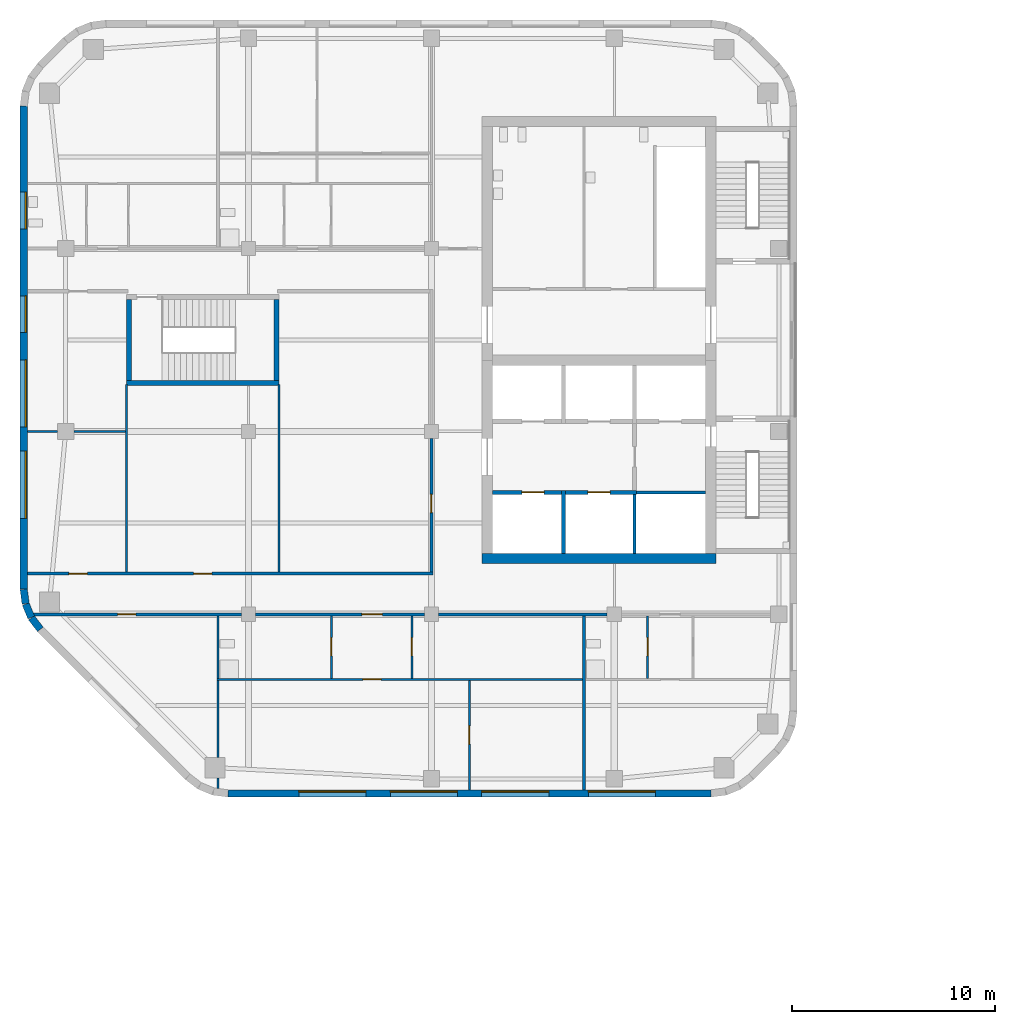
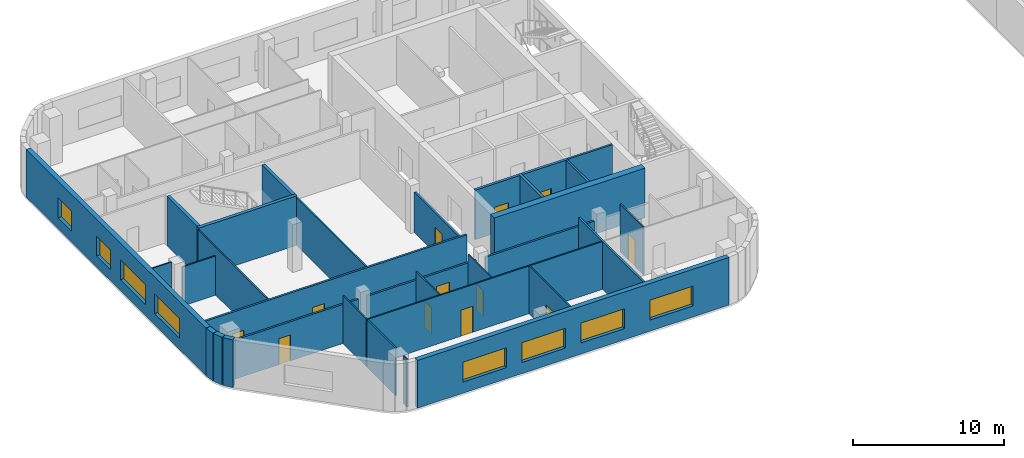
# One storey, part 5 of 16: 32 walls, 12 doors, 8 windows, 20 openings.
"""IFC4 building model written with IfcOpenShell, lengths in metres."""

import ifcopenshell
import ifcopenshell.guid

model = None  # the IFC model being written
_history = None  # IfcOwnerHistory: only IFC2X3 demands one
_inside = {}  # id of a spatial element -> (the spatial element, [elements in it])
_under = {}  # id of a project, library or spatial element -> (it, [spatial elements below it])
_declared = {}  # id of a project -> (the project, [libraries it declares])
_typed = {}  # id of a type object -> (the type object, [elements of that type])
_made_of = {}  # id of a material, layer set ... -> (it, [elements and type objects made of it])


def new_model(schema):
    """Start an empty IFC model of exactly this schema.

    Asked for "IFC4X3", IfcOpenShell would pick the latest addendum, in which some entities
    have other attributes; the version numbers below select the first issue.
    IFC2X3 requires an IfcOwnerHistory on every rooted entity: one is made here for all.
    """
    global model, _history
    if schema == "IFC4X3":
        model = ifcopenshell.file(schema_version=(4, 3, 0, 0))
    else:
        model = ifcopenshell.file(schema=schema)
    _inside.clear()
    _under.clear()
    _declared.clear()
    _typed.clear()
    _made_of.clear()
    _history = None
    if model.schema == "IFC2X3":
        org = make("IfcOrganization", Name="unknown")
        user = make(
            "IfcPersonAndOrganization",
            ThePerson=make("IfcPerson", FamilyName="unknown"),
            TheOrganization=org,
        )
        app = make(
            "IfcApplication",
            ApplicationDeveloper=org,
            Version="unknown",
            ApplicationFullName="unknown",
            ApplicationIdentifier="unknown",
        )
        _history = make(
            "IfcOwnerHistory",
            OwningUser=user,
            OwningApplication=app,
            ChangeAction="ADDED",
            CreationDate=0,
        )
    return model


def make(cls, **values):
    """One entity of the class cls with the attributes given. An attribute that is None is left unset."""
    return model.create_entity(
        cls, **{name: value for name, value in values.items() if value is not None}
    )


def rooted(cls, **values):
    """An entity with a GlobalId (a new one), such as an element, a storey or a relation."""
    return make(cls, GlobalId=ifcopenshell.guid.new(), OwnerHistory=_history, **values)


def si_unit(unit_type, name, prefix=None):
    """IfcSIUnit, for example si_unit("LENGTHUNIT", "METRE", prefix="MILLI")."""
    return make("IfcSIUnit", UnitType=unit_type, Prefix=prefix, Name=name)


def assignment(units):
    """IfcUnitAssignment: the units of a project."""
    return None if units is None else make("IfcUnitAssignment", Units=units)


def point(xyz):
    """IfcCartesianPoint."""
    return None if xyz is None else make("IfcCartesianPoint", Coordinates=xyz)


def direction(xyz):
    """IfcDirection."""
    return None if xyz is None else make("IfcDirection", DirectionRatios=xyz)


def frame(location, z_axis=None, x_axis=None):
    """IfcAxis2Placement3D, a coordinate frame: its origin and axes. An axis left out is left unset."""
    return make(
        "IfcAxis2Placement3D",
        Location=point(location),
        Axis=direction(z_axis),
        RefDirection=direction(x_axis),
    )


def frame_2d(location, x_axis=None):
    """IfcAxis2Placement2D, a coordinate frame in the plane: its origin and x axis."""
    return make(
        "IfcAxis2Placement2D", Location=point(location), RefDirection=direction(x_axis)
    )


def origin():
    """The frame at (0, 0, 0) with its axes left unset."""
    return frame((0.0, 0.0, 0.0))


def place(relative_to, where):
    """IfcLocalPlacement: puts the frame where relative to a parent placement (None: the world)."""
    return make(
        "IfcLocalPlacement", PlacementRelTo=relative_to, RelativePlacement=where
    )


def context(
    kind, dimensions, precision=None, world=None, true_north=None, identifier=None
):
    """IfcGeometricRepresentationContext, for example the 3D "Model" context."""
    return make(
        "IfcGeometricRepresentationContext",
        ContextIdentifier=identifier,
        ContextType=kind,
        CoordinateSpaceDimension=dimensions,
        Precision=precision,
        WorldCoordinateSystem=world,
        TrueNorth=true_north,
    )


def subcontext(parent, identifier, kind, view, scale=None):
    """IfcGeometricRepresentationSubContext, for example "Body" below "Model"."""
    return make(
        "IfcGeometricRepresentationSubContext",
        ContextIdentifier=identifier,
        ContextType=kind,
        ParentContext=parent,
        TargetScale=scale,
        TargetView=view,
    )


def project(units=None, contexts=None):
    """IfcProject with its units and contexts."""
    return rooted(
        "IfcProject",
        Name="project",
        RepresentationContexts=contexts,
        UnitsInContext=assignment(units),
    )


def spatial(cls, under=None, at=None, **own):
    """A site, building, storey or space (cls), placed at a placement, below another one or the project."""
    s = rooted(cls, ObjectPlacement=at, **own)
    if under is not None:
        _under.setdefault(under.id(), (under, []))[1].append(s)
    return s


def profile(cls, at=None, kind="AREA", **sizes):
    """A parametric profile (cls). Its sizes go by their IFC names, for example OverallWidth=200.0."""
    return make(cls, ProfileType=kind, Position=at, **sizes)


def rectangle(**sizes):
    """IfcRectangleProfileDef."""
    return profile("IfcRectangleProfileDef", **sizes)


def extrude(swept, where, along, depth):
    """IfcExtrudedAreaSolid: the profile swept, set in the frame where, extruded along a direction by depth."""
    return make(
        "IfcExtrudedAreaSolid",
        SweptArea=swept,
        Position=where,
        ExtrudedDirection=direction(along),
        Depth=depth,
    )


def shape(context_of_items, identifier, shape_type, items):
    """IfcShapeRepresentation: the items that make up one representation, for example the "Body"."""
    return make(
        "IfcShapeRepresentation",
        ContextOfItems=context_of_items,
        RepresentationIdentifier=identifier,
        RepresentationType=shape_type,
        Items=items,
    )


def material(Name=None, Category=None):
    """IfcMaterial."""
    return make("IfcMaterial", Name=Name, Category=Category)


def layer(
    of_material, thickness, ventilated=None, Name=None, Category=None, Priority=None
):
    """IfcMaterialLayer: one layer of a wall or slab, of a material (None: an air gap)."""
    return make(
        "IfcMaterialLayer",
        Material=of_material,
        LayerThickness=thickness,
        IsVentilated=ventilated,
        Name=Name,
        Category=Category,
        Priority=Priority,
    )


def layer_set(layers, Name=None):
    """IfcMaterialLayerSet."""
    return make("IfcMaterialLayerSet", MaterialLayers=layers, LayerSetName=Name)


def made_of(thing, what):
    """Note that an element or type object is made of a material, layer set ...; save() writes the relation."""
    if what is not None:
        _made_of.setdefault(what.id(), (what, []))[1].append(thing)
    return thing


def type_object(cls, material=None, **own):
    """A type object (cls), such as IfcWallType, which elements share."""
    return made_of(rooted(cls, **own), material)


def element(
    cls,
    number,
    at=None,
    inside=None,
    cuts=None,
    type_object=None,
    material=None,
    context=None,
    identifier="Body",
    shape_type=None,
    held_by="IfcProductDefinitionShape",
    body=None,
    shapes=None,
    **own,
):
    """One element of the class cls, such as IfcWall. Its Tag is "e" and its number.

    at: its placement. inside: the storey or other place that contains it. cuts: it is an
    opening in that element (IfcRelVoidsElement). A single representation is given by context,
    identifier, shape_type and body (its items); several are given by shapes. held_by: the class
    of the entity that holds the representations. save() writes the other relations.
    """
    e = rooted(cls, Tag="e%d" % number, ObjectPlacement=at, **own)
    if body is not None:
        shapes = [shape(context, identifier, shape_type, body)]
    if shapes is not None:
        e.Representation = make(held_by, Representations=shapes)
    if inside is not None:
        _inside.setdefault(inside.id(), (inside, []))[1].append(e)
    if cuts is not None:
        rooted(
            "IfcRelVoidsElement", RelatingBuildingElement=cuts, RelatedOpeningElement=e
        )
    if type_object is not None:
        _typed.setdefault(type_object.id(), (type_object, []))[1].append(e)
    return made_of(e, material)


def fill(opening, filler):
    """IfcRelFillsElement: the door or window that sits in an opening."""
    return rooted(
        "IfcRelFillsElement",
        RelatingOpeningElement=opening,
        RelatedBuildingElement=filler,
    )


def aggregate(whole, parts):
    """IfcRelAggregates: a whole, such as a stair, and the parts it consists of."""
    return rooted("IfcRelAggregates", RelatingObject=whole, RelatedObjects=parts)


def save(model, path):
    """Write the relations noted so far, then the file.

    IfcRelAggregates (storeys below a building ...), IfcRelContainedInSpatialStructure (elements
    in a storey), IfcRelDefinesByType, IfcRelAssociatesMaterial and IfcRelDeclares: one each for
    every whole, place, type object, material and project.
    """
    for whole, parts in _under.values():
        aggregate(whole, parts)
    for where, things in _inside.values():
        rooted(
            "IfcRelContainedInSpatialStructure",
            RelatedElements=things,
            RelatingStructure=where,
        )
    for kind, things in _typed.values():
        rooted("IfcRelDefinesByType", RelatedObjects=things, RelatingType=kind)
    for what, things in _made_of.values():
        rooted("IfcRelAssociatesMaterial", RelatedObjects=things, RelatingMaterial=what)
    for by, libraries in _declared.values():
        rooted("IfcRelDeclares", RelatingContext=by, RelatedDefinitions=libraries)
    model.write(path)


model = new_model("IFC4")

# Units and contexts
model_context = context("Model", 3, precision=1e-05, world=origin(), true_north=direction((0.0, 1.0)))
body_context = subcontext(model_context, "Body", "Model", "MODEL_VIEW")
ifc_project = project(units=[si_unit("LENGTHUNIT", "METRE"), si_unit("AREAUNIT", "SQUARE_METRE"), si_unit("VOLUMEUNIT", "CUBIC_METRE"), si_unit("PLANEANGLEUNIT", "RADIAN"), si_unit("MASSUNIT", "GRAM", prefix="KILO")], contexts=[model_context])

# Site, building, storey
site_placement = place(None, origin())
site = spatial("IfcSite", under=ifc_project, at=site_placement, CompositionType="ELEMENT")
building_placement = place(site_placement, origin())
building = spatial("IfcBuilding", under=site, at=building_placement, Name="Cinnabar Reach Civic Tower", CompositionType="ELEMENT")
storey_placement = place(building_placement, frame((0.0, 0.0, 83.0)))
storey = spatial("IfcBuildingStorey", under=building, at=storey_placement, Name="L19", CompositionType="ELEMENT", Elevation=83.0)

# Walls
ifc_material_1 = material(Name="Facing brick with insulated backing", Category="masonry")
ifc_layer_1 = layer(ifc_material_1, 0.36)
ifc_layer_set_1 = layer_set([ifc_layer_1], Name="Brick corner wall")
wall_type_1 = type_object("IfcWallType", Name="Brick corner wall", PredefinedType="STANDARD", material=ifc_layer_set_1)
for number, where, z_axis, x_axis, name in (
    (1, (-65.067, 19.2314, 0.0), (0.0, 0.0, 1.0), (0.13055608231, -0.99144092581, 0.0), "Brick corner wall"),
    (2, (-64.9681, 18.5027, 0.0), (0.0, 0.0, 1.0), (0.382702709855, -0.923871547278, 0.0), "Brick corner wall"),
):
    element("IfcWall", number, at=place(storey_placement, frame(where, z_axis=z_axis, x_axis=x_axis)), inside=storey, type_object=wall_type_1, Name=name, PredefinedType="STANDARD", context=body_context, shape_type="SweptSolid", body=[
        extrude(rectangle(XDim=0.7131, YDim=0.36, at=frame_2d((0.3565, 0.0))), origin(), (0.0, 0.0, 1.0), 3.85),
    ])
wall_1_placement = place(storey_placement, frame((-64.684, 17.8245, 0.0), z_axis=(0.0, 0.0, 1.0), x_axis=(0.608802368033, -0.793321924995, 0.0)))
element("IfcWall", 3, at=wall_1_placement, inside=storey, type_object=wall_type_1, Name="Brick corner wall", PredefinedType="STANDARD", context=body_context, shape_type="SweptSolid", body=[
    extrude(rectangle(XDim=0.7132, YDim=0.36, at=frame_2d((0.3566, 0.0))), origin(), (0.0, 0.0, 1.0), 3.85),
])

# Wall, openings, windows
ifc_layer_2 = layer(ifc_material_1, 0.36)
ifc_layer_set_2 = layer_set([ifc_layer_2], Name="Brick pier and spandrel wall")
wall_type_2 = type_object("IfcWallType", Name="Brick pier and spandrel wall", PredefinedType="STANDARD", material=ifc_layer_set_2)
wall_2_placement = place(storey_placement, frame((-55.0074, 9.18, 0.0), z_axis=(0.0, 0.0, 1.0), x_axis=(1.0, 0.0, 0.0)))
wall_2 = element("IfcWall", 4, at=wall_2_placement, inside=storey, type_object=wall_type_2, Name="Brick facade wall", PredefinedType="STANDARD", context=body_context, shape_type="SweptSolid", body=[
    extrude(rectangle(XDim=23.7648, YDim=0.36, at=frame_2d((11.8824, 0.0))), origin(), (0.0, 0.0, 1.0), 3.85),
])
opening_1_placement = place(wall_2_placement, frame((3.4824, 0.0, 0.9)))
opening_1 = element("IfcOpeningElement", 5, at=opening_1_placement, cuts=wall_2, Name="Opening W2603", PredefinedType="OPENING", context=body_context, shape_type="SweptSolid", body=[
    extrude(rectangle(XDim=3.3, YDim=1.6, at=frame_2d((1.65, 0.8))), frame((0.0, 0.19, 0.0), z_axis=(0.0, -1.0, 0.0), x_axis=(1.0, 0.0, 0.0)), (0.0, 0.0, 1.0), 0.38),
])
opening_2_placement = place(wall_2_placement, frame((7.9824, 0.0, 0.9)))
opening_2 = element("IfcOpeningElement", 6, at=opening_2_placement, cuts=wall_2, Name="Opening W2604", PredefinedType="OPENING", context=body_context, shape_type="SweptSolid", body=[
    extrude(rectangle(XDim=3.3, YDim=1.6, at=frame_2d((1.65, 0.8))), frame((0.0, 0.19, 0.0), z_axis=(0.0, -1.0, 0.0), x_axis=(1.0, 0.0, 0.0)), (0.0, 0.0, 1.0), 0.38),
])
opening_3_placement = place(wall_2_placement, frame((12.4824, 0.0, 0.9)))
opening_3 = element("IfcOpeningElement", 7, at=opening_3_placement, cuts=wall_2, Name="Opening W2605", PredefinedType="OPENING", context=body_context, shape_type="SweptSolid", body=[
    extrude(rectangle(XDim=3.3, YDim=1.6, at=frame_2d((1.65, 0.8))), frame((0.0, 0.19, 0.0), z_axis=(0.0, -1.0, 0.0), x_axis=(1.0, 0.0, 0.0)), (0.0, 0.0, 1.0), 0.38),
])
opening_4_placement = place(wall_2_placement, frame((17.7324, 0.0, 0.9)))
opening_4 = element("IfcOpeningElement", 8, at=opening_4_placement, cuts=wall_2, Name="Opening W2606", PredefinedType="OPENING", context=body_context, shape_type="SweptSolid", body=[
    extrude(rectangle(XDim=3.3, YDim=1.6, at=frame_2d((1.65, 0.8))), frame((0.0, 0.19, 0.0), z_axis=(0.0, -1.0, 0.0), x_axis=(1.0, 0.0, 0.0)), (0.0, 0.0, 1.0), 0.38),
])
ifc_material_2 = material(Name="Clear double glazing in aluminium frame", Category="aluminium")
window_type_1 = type_object("IfcWindowType", Name="Deep-set window A", PartitioningType="SINGLE_PANEL", PredefinedType="WINDOW", material=ifc_material_2)
window_1_placement = place(opening_1_placement, origin())
window_1 = element("IfcWindow", 9, at=window_1_placement, inside=storey, type_object=window_type_1, Name="Window south face", OverallHeight=1.6, OverallWidth=3.3, PartitioningType="SINGLE_PANEL", PredefinedType="WINDOW", context=body_context, shape_type="SweptSolid", body=[
    extrude(rectangle(XDim=3.3, YDim=1.6, at=frame_2d((1.65, 0.8))), frame((0.0, 0.13, 0.0), z_axis=(0.0, -1.0, 0.0), x_axis=(1.0, 0.0, 0.0)), (0.0, 0.0, 1.0), 0.06),
])
fill(opening_1, window_1)
window_2_placement = place(opening_2_placement, origin())
window_2 = element("IfcWindow", 10, at=window_2_placement, inside=storey, type_object=window_type_1, Name="Window south face", OverallHeight=1.6, OverallWidth=3.3, PartitioningType="SINGLE_PANEL", PredefinedType="WINDOW", context=body_context, shape_type="SweptSolid", body=[
    extrude(rectangle(XDim=3.3, YDim=1.6, at=frame_2d((1.65, 0.8))), frame((0.0, 0.13, 0.0), z_axis=(0.0, -1.0, 0.0), x_axis=(1.0, 0.0, 0.0)), (0.0, 0.0, 1.0), 0.06),
])
fill(opening_2, window_2)
window_3_placement = place(opening_3_placement, origin())
window_3 = element("IfcWindow", 11, at=window_3_placement, inside=storey, type_object=window_type_1, Name="Window south face", OverallHeight=1.6, OverallWidth=3.3, PartitioningType="SINGLE_PANEL", PredefinedType="WINDOW", context=body_context, shape_type="SweptSolid", body=[
    extrude(rectangle(XDim=3.3, YDim=1.6, at=frame_2d((1.65, 0.8))), frame((0.0, 0.13, 0.0), z_axis=(0.0, -1.0, 0.0), x_axis=(1.0, 0.0, 0.0)), (0.0, 0.0, 1.0), 0.06),
])
fill(opening_3, window_3)
window_4_placement = place(opening_4_placement, origin())
window_4 = element("IfcWindow", 12, at=window_4_placement, inside=storey, type_object=window_type_1, Name="Window south face", OverallHeight=1.6, OverallWidth=3.3, PartitioningType="SINGLE_PANEL", PredefinedType="WINDOW", context=body_context, shape_type="SweptSolid", body=[
    extrude(rectangle(XDim=3.3, YDim=1.6, at=frame_2d((1.65, 0.8))), frame((0.0, 0.13, 0.0), z_axis=(0.0, -1.0, 0.0), x_axis=(1.0, 0.0, 0.0)), (0.0, 0.0, 1.0), 0.06),
])
fill(opening_4, window_4)

wall_3_placement = place(storey_placement, frame((-65.07, 43.0074, 0.0), z_axis=(0.0, 0.0, 1.0), x_axis=(0.0, -1.0, 0.0)))
wall_3 = element("IfcWall", 13, at=wall_3_placement, inside=storey, type_object=wall_type_2, Name="Brick facade wall", PredefinedType="STANDARD", context=body_context, shape_type="SweptSolid", body=[
    extrude(rectangle(XDim=23.7648, YDim=0.36, at=frame_2d((11.8824, 0.0))), origin(), (0.0, 0.0, 1.0), 3.85),
])
opening_5_placement = place(wall_3_placement, frame((4.2324, 0.0, 0.9)))
opening_5 = element("IfcOpeningElement", 14, at=opening_5_placement, cuts=wall_3, Name="Opening W2615", PredefinedType="OPENING", context=body_context, shape_type="SweptSolid", body=[
    extrude(rectangle(XDim=1.8, YDim=1.6, at=frame_2d((0.9, 0.8))), frame((0.0, 0.19, 0.0), z_axis=(0.0, -1.0, 0.0), x_axis=(1.0, 0.0, 0.0)), (0.0, 0.0, 1.0), 0.38),
])
opening_6_placement = place(wall_3_placement, frame((9.3324, 0.0, 0.9)))
opening_6 = element("IfcOpeningElement", 15, at=opening_6_placement, cuts=wall_3, Name="Opening W2616", PredefinedType="OPENING", context=body_context, shape_type="SweptSolid", body=[
    extrude(rectangle(XDim=1.8, YDim=1.6, at=frame_2d((0.9, 0.8))), frame((0.0, 0.19, 0.0), z_axis=(0.0, -1.0, 0.0), x_axis=(1.0, 0.0, 0.0)), (0.0, 0.0, 1.0), 0.38),
])
opening_7_placement = place(wall_3_placement, frame((12.4824, 0.0, 0.9)))
opening_7 = element("IfcOpeningElement", 16, at=opening_7_placement, cuts=wall_3, Name="Opening W2617", PredefinedType="OPENING", context=body_context, shape_type="SweptSolid", body=[
    extrude(rectangle(XDim=3.3, YDim=1.6, at=frame_2d((1.65, 0.8))), frame((0.0, 0.19, 0.0), z_axis=(0.0, -1.0, 0.0), x_axis=(1.0, 0.0, 0.0)), (0.0, 0.0, 1.0), 0.38),
])
opening_8_placement = place(wall_3_placement, frame((16.9824, 0.0, 0.9)))
opening_8 = element("IfcOpeningElement", 17, at=opening_8_placement, cuts=wall_3, Name="Opening W2618", PredefinedType="OPENING", context=body_context, shape_type="SweptSolid", body=[
    extrude(rectangle(XDim=3.3, YDim=1.6, at=frame_2d((1.65, 0.8))), frame((0.0, 0.19, 0.0), z_axis=(0.0, -1.0, 0.0), x_axis=(1.0, 0.0, 0.0)), (0.0, 0.0, 1.0), 0.38),
])
window_5_placement = place(opening_7_placement, origin())
window_5 = element("IfcWindow", 18, at=window_5_placement, inside=storey, type_object=window_type_1, Name="Window west face", OverallHeight=1.6, OverallWidth=3.3, PartitioningType="SINGLE_PANEL", PredefinedType="WINDOW", context=body_context, shape_type="SweptSolid", body=[
    extrude(rectangle(XDim=3.3, YDim=1.6, at=frame_2d((1.65, 0.8))), frame((0.0, 0.13, 0.0), z_axis=(0.0, -1.0, 0.0), x_axis=(1.0, 0.0, 0.0)), (0.0, 0.0, 1.0), 0.06),
])
fill(opening_7, window_5)
window_6_placement = place(opening_8_placement, origin())
window_6 = element("IfcWindow", 19, at=window_6_placement, inside=storey, type_object=window_type_1, Name="Window west face", OverallHeight=1.6, OverallWidth=3.3, PartitioningType="SINGLE_PANEL", PredefinedType="WINDOW", context=body_context, shape_type="SweptSolid", body=[
    extrude(rectangle(XDim=3.3, YDim=1.6, at=frame_2d((1.65, 0.8))), frame((0.0, 0.13, 0.0), z_axis=(0.0, -1.0, 0.0), x_axis=(1.0, 0.0, 0.0)), (0.0, 0.0, 1.0), 0.06),
])
fill(opening_8, window_6)
window_type_2 = type_object("IfcWindowType", Name="Deep-set window D", PartitioningType="SINGLE_PANEL", PredefinedType="WINDOW", material=ifc_material_2)
window_7_placement = place(opening_5_placement, origin())
window_7 = element("IfcWindow", 20, at=window_7_placement, inside=storey, type_object=window_type_2, Name="Window west face", OverallHeight=1.6, OverallWidth=1.8, PartitioningType="SINGLE_PANEL", PredefinedType="WINDOW", context=body_context, shape_type="SweptSolid", body=[
    extrude(rectangle(XDim=1.8, YDim=1.6, at=frame_2d((0.9, 0.8))), frame((0.0, 0.13, 0.0), z_axis=(0.0, -1.0, 0.0), x_axis=(1.0, 0.0, 0.0)), (0.0, 0.0, 1.0), 0.06),
])
fill(opening_5, window_7)
window_8_placement = place(opening_6_placement, origin())
window_8 = element("IfcWindow", 21, at=window_8_placement, inside=storey, type_object=window_type_2, Name="Window west face", OverallHeight=1.6, OverallWidth=1.8, PartitioningType="SINGLE_PANEL", PredefinedType="WINDOW", context=body_context, shape_type="SweptSolid", body=[
    extrude(rectangle(XDim=1.8, YDim=1.6, at=frame_2d((0.9, 0.8))), frame((0.0, 0.13, 0.0), z_axis=(0.0, -1.0, 0.0), x_axis=(1.0, 0.0, 0.0)), (0.0, 0.0, 1.0), 0.06),
])
fill(opening_6, window_8)

# Walls
ifc_material_3 = material(Name="Concrete C60", Category="concrete")
ifc_layer_3 = layer(ifc_material_3, 0.5)
ifc_layer_set_3 = layer_set([ifc_layer_3], Name="Core wall 500 EI 180")
wall_type_3 = type_object("IfcWallType", Name="Core wall 500 EI 180", PredefinedType="SOLIDWALL", material=ifc_layer_set_3)
wall_4_placement = place(storey_placement, frame((-42.5, 20.75, 0.0), z_axis=(0.0, 0.0, 1.0), x_axis=(1.0, 0.0, 0.0)))
element("IfcWall", 22, at=wall_4_placement, inside=storey, type_object=wall_type_3, Name="Core wall T2 L19 S", PredefinedType="SOLIDWALL", context=body_context, shape_type="SweptSolid", body=[
    extrude(rectangle(XDim=11.5, YDim=0.5, at=frame_2d((5.75, 0.0))), origin(), (0.0, 0.0, 1.0), 4.0),
])
ifc_material_4 = material(Name="Gypsum board on steel studs, double layer", Category="steel")
ifc_layer_4 = layer(ifc_material_4, 0.15)
ifc_layer_set_4 = layer_set([ifc_layer_4], Name="Corridor wall 150 T2")
wall_type_4 = type_object("IfcWallType", Name="Corridor wall 150 T2", PredefinedType="PARTITIONING", material=ifc_layer_set_4)
wall_5_placement = place(storey_placement, frame((-44.65, 18.0, 0.0), z_axis=(0.0, 0.0, 1.0), x_axis=(1.0, 0.0, 0.0)))
element("IfcWall", 23, at=wall_5_placement, inside=storey, type_object=wall_type_4, Name="Corridor wall 2", PredefinedType="PARTITIONING", context=body_context, shape_type="SweptSolid", body=[
    extrude(rectangle(XDim=8.3, YDim=0.15, at=frame_2d((4.15, 0.0))), origin(), (0.0, 0.0, 1.0), 3.158),
])

# Wall, opening, door
wall_6_placement = place(storey_placement, frame((-53.65, 18.0, 0.0), z_axis=(0.0, 0.0, 1.0), x_axis=(1.0, 0.0, 0.0)))
wall_6 = element("IfcWall", 24, at=wall_6_placement, inside=storey, type_object=wall_type_4, Name="Corridor wall 3", PredefinedType="PARTITIONING", context=body_context, shape_type="SweptSolid", body=[
    extrude(rectangle(XDim=8.3, YDim=0.15, at=frame_2d((4.15, 0.0))), origin(), (0.0, 0.0, 1.0), 3.158),
])
opening_9_placement = place(wall_6_placement, frame((5.23, 0.0, 0.0)))
opening_9 = element("IfcOpeningElement", 25, at=opening_9_placement, cuts=wall_6, Name="Opening D6727", PredefinedType="OPENING", context=body_context, shape_type="SweptSolid", body=[
    extrude(rectangle(XDim=1.0, YDim=2.1, at=frame_2d((0.5, 1.05))), frame((0.0, 0.085, 0.0), z_axis=(0.0, -1.0, 0.0), x_axis=(1.0, 0.0, 0.0)), (0.0, 0.0, 1.0), 0.17),
])
ifc_material_5 = material(Name="Timber door leaf in steel frame", Category="steel")
door_type_1 = type_object("IfcDoorType", Name="Tenancy entrance door 1000 x 2100 T2", OperationType="SINGLE_SWING_LEFT", PredefinedType="DOOR", material=ifc_material_5)
door_1_placement = place(opening_9_placement, frame((1.0, 0.0, 0.0), z_axis=(0.0, 0.0, 1.0), x_axis=(-1.0, 0.0, 0.0)))
door_1 = element("IfcDoor", 26, at=door_1_placement, inside=storey, type_object=door_type_1, Name="Door D6727", OperationType="SINGLE_SWING_LEFT", OverallHeight=2.1, OverallWidth=1.0, PredefinedType="DOOR", context=body_context, shape_type="SweptSolid", body=[
    extrude(rectangle(XDim=1.0, YDim=2.1, at=frame_2d((0.5, 1.05))), frame((0.0, 0.025, 0.0), z_axis=(0.0, -1.0, 0.0), x_axis=(1.0, 0.0, 0.0)), (0.0, 0.0, 1.0), 0.05),
])
fill(opening_9, door_1)

wall_7_placement = place(storey_placement, frame((-64.5961, 18.0, 0.0), z_axis=(0.0, 0.0, 1.0), x_axis=(1.0, 0.0, 0.0)))
wall_7 = element("IfcWall", 27, at=wall_7_placement, inside=storey, type_object=wall_type_4, Name="Corridor wall 4", PredefinedType="PARTITIONING", context=body_context, shape_type="SweptSolid", body=[
    extrude(rectangle(XDim=10.2461, YDim=0.15, at=frame_2d((5.1231, 0.0))), origin(), (0.0, 0.0, 1.0), 3.158),
])
opening_10_placement = place(wall_7_placement, frame((4.15, 0.0, 0.0)))
opening_10 = element("IfcOpeningElement", 28, at=opening_10_placement, cuts=wall_7, Name="Opening D6722", PredefinedType="OPENING", context=body_context, shape_type="SweptSolid", body=[
    extrude(rectangle(XDim=0.9, YDim=2.1, at=frame_2d((0.45, 1.05))), frame((0.0, 0.085, 0.0), z_axis=(0.0, -1.0, 0.0), x_axis=(1.0, 0.0, 0.0)), (0.0, 0.0, 1.0), 0.17),
])
door_type_2 = type_object("IfcDoorType", Name="Single swing door 900 x 2100 T2", OperationType="SINGLE_SWING_LEFT", PredefinedType="DOOR", material=ifc_material_5)
door_2_placement = place(opening_10_placement, frame((0.9, 0.0, 0.0), z_axis=(0.0, 0.0, 1.0), x_axis=(-1.0, 0.0, 0.0)))
door_2 = element("IfcDoor", 29, at=door_2_placement, inside=storey, type_object=door_type_2, Name="Door D6722", OperationType="SINGLE_SWING_RIGHT", OverallHeight=2.1, OverallWidth=0.9, PredefinedType="DOOR", context=body_context, shape_type="SweptSolid", body=[
    extrude(rectangle(XDim=0.9, YDim=2.1, at=frame_2d((0.45, 1.05))), frame((0.0, 0.025, 0.0), z_axis=(0.0, -1.0, 0.0), x_axis=(1.0, 0.0, 0.0)), (0.0, 0.0, 1.0), 0.05),
])
fill(opening_10, door_2)

# Wall, openings, doors
wall_8_placement = place(storey_placement, frame((-64.89, 20.0, 0.0), z_axis=(0.0, 0.0, 1.0), x_axis=(1.0, 0.0, 0.0)))
wall_8 = element("IfcWall", 30, at=wall_8_placement, inside=storey, type_object=wall_type_4, Name="Corridor wall 9", PredefinedType="PARTITIONING", context=body_context, shape_type="SweptSolid", body=[
    extrude(rectangle(XDim=19.965, YDim=0.15, at=frame_2d((9.9825, 0.0))), origin(), (0.0, 0.0, 1.0), 3.85),
])
opening_11_placement = place(wall_8_placement, frame((2.05, 0.0, 0.0)))
opening_11 = element("IfcOpeningElement", 31, at=opening_11_placement, cuts=wall_8, Name="Opening D6743", PredefinedType="OPENING", context=body_context, shape_type="SweptSolid", body=[
    extrude(rectangle(XDim=0.9, YDim=2.1, at=frame_2d((0.45, 1.05))), frame((0.0, 0.085, 0.0), z_axis=(0.0, -1.0, 0.0), x_axis=(1.0, 0.0, 0.0)), (0.0, 0.0, 1.0), 0.17),
])
opening_12_placement = place(wall_8_placement, frame((8.19, 0.0, 0.0)))
opening_12 = element("IfcOpeningElement", 32, at=opening_12_placement, cuts=wall_8, Name="Opening D6745", PredefinedType="OPENING", context=body_context, shape_type="SweptSolid", body=[
    extrude(rectangle(XDim=0.9, YDim=2.1, at=frame_2d((0.45, 1.05))), frame((0.0, 0.085, 0.0), z_axis=(0.0, -1.0, 0.0), x_axis=(1.0, 0.0, 0.0)), (0.0, 0.0, 1.0), 0.17),
])
door_3_placement = place(opening_11_placement, origin())
door_3 = element("IfcDoor", 33, at=door_3_placement, inside=storey, type_object=door_type_2, Name="Door D6743", OperationType="SINGLE_SWING_LEFT", OverallHeight=2.1, OverallWidth=0.9, PredefinedType="DOOR", context=body_context, shape_type="SweptSolid", body=[
    extrude(rectangle(XDim=0.9, YDim=2.1, at=frame_2d((0.45, 1.05))), frame((0.0, 0.025, 0.0), z_axis=(0.0, -1.0, 0.0), x_axis=(1.0, 0.0, 0.0)), (0.0, 0.0, 1.0), 0.05),
])
fill(opening_11, door_3)
door_4_placement = place(opening_12_placement, origin())
door_4 = element("IfcDoor", 34, at=door_4_placement, inside=storey, type_object=door_type_2, Name="Door D6745", OperationType="SINGLE_SWING_RIGHT", OverallHeight=2.1, OverallWidth=0.9, PredefinedType="DOOR", context=body_context, shape_type="SweptSolid", body=[
    extrude(rectangle(XDim=0.9, YDim=2.1, at=frame_2d((0.45, 1.05))), frame((0.0, 0.025, 0.0), z_axis=(0.0, -1.0, 0.0), x_axis=(1.0, 0.0, 0.0)), (0.0, 0.0, 1.0), 0.05),
])
fill(opening_12, door_4)

# Wall, opening, door
wall_9_placement = place(storey_placement, frame((-45.0, 20.075, 0.0), z_axis=(0.0, 0.0, 1.0), x_axis=(0.0, 1.0, 0.0)))
wall_9 = element("IfcWall", 35, at=wall_9_placement, inside=storey, type_object=wall_type_4, Name="Corridor wall 10", PredefinedType="PARTITIONING", context=body_context, shape_type="SweptSolid", body=[
    extrude(rectangle(XDim=6.575, YDim=0.15, at=frame_2d((3.2875, 0.0))), origin(), (0.0, 0.0, 1.0), 3.256),
])
opening_13_placement = place(wall_9_placement, frame((2.925, 0.0, 0.0)))
opening_13 = element("IfcOpeningElement", 36, at=opening_13_placement, cuts=wall_9, Name="Opening D6746", PredefinedType="OPENING", context=body_context, shape_type="SweptSolid", body=[
    extrude(rectangle(XDim=0.9, YDim=2.1, at=frame_2d((0.45, 1.05))), frame((0.0, 0.085, 0.0), z_axis=(0.0, -1.0, 0.0), x_axis=(1.0, 0.0, 0.0)), (0.0, 0.0, 1.0), 0.17),
])
door_5_placement = place(opening_13_placement, origin())
door_5 = element("IfcDoor", 37, at=door_5_placement, inside=storey, type_object=door_type_2, Name="Door D6746", OperationType="SINGLE_SWING_LEFT", OverallHeight=2.1, OverallWidth=0.9, PredefinedType="DOOR", context=body_context, shape_type="SweptSolid", body=[
    extrude(rectangle(XDim=0.9, YDim=2.1, at=frame_2d((0.45, 1.05))), frame((0.0, 0.025, 0.0), z_axis=(0.0, -1.0, 0.0), x_axis=(1.0, 0.0, 0.0)), (0.0, 0.0, 1.0), 0.05),
])
fill(opening_13, door_5)

ifc_material_6 = material(Name="Gypsum board on steel studs", Category="steel")
ifc_layer_5 = layer(ifc_material_6, 0.1)
ifc_layer_set_5 = layer_set([ifc_layer_5], Name="Partition wall 100 T2")
wall_type_5 = type_object("IfcWallType", Name="Partition wall 100 T2", PredefinedType="PARTITIONING", material=ifc_layer_set_5)
wall_10_placement = place(storey_placement, frame((-55.55, 14.8, 0.0), z_axis=(0.0, 0.0, 1.0), x_axis=(1.0, 0.0, 0.0)))
wall_10 = element("IfcWall", 38, at=wall_10_placement, inside=storey, type_object=wall_type_5, Name="Partition wall 16", PredefinedType="PARTITIONING", context=body_context, shape_type="SweptSolid", body=[
    extrude(rectangle(XDim=17.975, YDim=0.1, at=frame_2d((8.9875, 0.0))), origin(), (0.0, 0.0, 1.0), 3.85),
])
opening_14_placement = place(wall_10_placement, frame((7.18, 0.0, 0.0)))
opening_14 = element("IfcOpeningElement", 39, at=opening_14_placement, cuts=wall_10, Name="Opening D6725", PredefinedType="OPENING", context=body_context, shape_type="SweptSolid", body=[
    extrude(rectangle(XDim=0.9, YDim=2.1, at=frame_2d((0.45, 1.05))), frame((0.0, 0.06, 0.0), z_axis=(0.0, -1.0, 0.0), x_axis=(1.0, 0.0, 0.0)), (0.0, 0.0, 1.0), 0.12),
])
door_6_placement = place(opening_14_placement, origin())
door_6 = element("IfcDoor", 40, at=door_6_placement, inside=storey, type_object=door_type_2, Name="Door D6725", OperationType="SINGLE_SWING_RIGHT", OverallHeight=2.1, OverallWidth=0.9, PredefinedType="DOOR", context=body_context, shape_type="SweptSolid", body=[
    extrude(rectangle(XDim=0.9, YDim=2.1, at=frame_2d((0.45, 1.05))), frame((0.0, 0.025, 0.0), z_axis=(0.0, -1.0, 0.0), x_axis=(1.0, 0.0, 0.0)), (0.0, 0.0, 1.0), 0.05),
])
fill(opening_14, door_6)

# Walls
for number, where, z_axis, x_axis, name in (
    (41, (-60.0, 20.075, 0.0), (0.0, 0.0, 1.0), (0.0, 1.0, 0.0), "Partition wall 23"),
    (42, (-52.5, 20.075, 0.0), (0.0, 0.0, 1.0), (0.0, 1.0, 0.0), "Partition wall 24"),
):
    element("IfcWall", number, at=place(storey_placement, frame(where, z_axis=z_axis, x_axis=x_axis)), inside=storey, type_object=wall_type_5, Name=name, PredefinedType="PARTITIONING", context=body_context, shape_type="SweptSolid", body=[
        extrude(rectangle(XDim=9.225, YDim=0.1, at=frame_2d((4.6125, 0.0))), origin(), (0.0, 0.0, 1.0), 3.85),
    ])
wall_11_placement = place(storey_placement, frame((-55.5, 14.85, 0.0), z_axis=(0.0, 0.0, 1.0), x_axis=(0.0, 1.0, 0.0)))
element("IfcWall", 43, at=wall_11_placement, inside=storey, type_object=wall_type_5, Name="Partition wall 25", PredefinedType="PARTITIONING", context=body_context, shape_type="SweptSolid", body=[
    extrude(rectangle(XDim=3.075, YDim=0.1, at=frame_2d((1.5375, 0.0))), origin(), (0.0, 0.0, 1.0), 3.85),
])
wall_12_placement = place(storey_placement, frame((-55.5, 10.9531, 0.0), z_axis=(0.0, 0.0, 1.0), x_axis=(0.0, 1.0, 0.0)))
element("IfcWall", 44, at=wall_12_placement, inside=storey, type_object=wall_type_5, Name="Partition wall 26", PredefinedType="PARTITIONING", context=body_context, shape_type="SweptSolid", body=[
    extrude(rectangle(XDim=3.7969, YDim=0.1, at=frame_2d((1.8984, 0.0))), origin(), (0.0, 0.0, 1.0), 3.85),
])
wall_13_placement = place(storey_placement, frame((-55.5, 9.428, 0.0), z_axis=(0.0, 0.0, 1.0), x_axis=(0.0, 1.0, 0.0)))
element("IfcWall", 45, at=wall_13_placement, inside=storey, type_object=wall_type_5, Name="Partition wall 27", PredefinedType="PARTITIONING", context=body_context, shape_type="SweptSolid", body=[
    extrude(rectangle(XDim=0.5251, YDim=0.1, at=frame_2d((0.2626, 0.0))), origin(), (0.0, 0.0, 1.0), 3.85),
])

# Wall, opening, door
wall_14_placement = place(storey_placement, frame((-43.13, 9.36, 0.0), z_axis=(0.0, 0.0, 1.0), x_axis=(0.0, 1.0, 0.0)))
wall_14 = element("IfcWall", 46, at=wall_14_placement, inside=storey, type_object=wall_type_5, Name="Partition wall 30", PredefinedType="PARTITIONING", context=body_context, shape_type="SweptSolid", body=[
    extrude(rectangle(XDim=5.39, YDim=0.1, at=frame_2d((2.695, 0.0))), origin(), (0.0, 0.0, 1.0), 3.85),
])
opening_15_placement = place(wall_14_placement, frame((2.25, 0.0, 0.0)))
opening_15 = element("IfcOpeningElement", 47, at=opening_15_placement, cuts=wall_14, Name="Opening D6726", PredefinedType="OPENING", context=body_context, shape_type="SweptSolid", body=[
    extrude(rectangle(XDim=0.9, YDim=2.1, at=frame_2d((0.45, 1.05))), frame((0.0, 0.06, 0.0), z_axis=(0.0, -1.0, 0.0), x_axis=(1.0, 0.0, 0.0)), (0.0, 0.0, 1.0), 0.12),
])
door_7_placement = place(opening_15_placement, frame((0.9, 0.0, 0.0), z_axis=(0.0, 0.0, 1.0), x_axis=(-1.0, 0.0, 0.0)))
door_7 = element("IfcDoor", 48, at=door_7_placement, inside=storey, type_object=door_type_2, Name="Door D6726", OperationType="SINGLE_SWING_RIGHT", OverallHeight=2.1, OverallWidth=0.9, PredefinedType="DOOR", context=body_context, shape_type="SweptSolid", body=[
    extrude(rectangle(XDim=0.9, YDim=2.1, at=frame_2d((0.45, 1.05))), frame((0.0, 0.025, 0.0), z_axis=(0.0, -1.0, 0.0), x_axis=(1.0, 0.0, 0.0)), (0.0, 0.0, 1.0), 0.05),
])
fill(opening_15, door_7)

# Walls
wall_15_placement = place(storey_placement, frame((-62.6, 27.0, 0.0), z_axis=(0.0, 0.0, 1.0), x_axis=(1.0, 0.0, 0.0)))
element("IfcWall", 49, at=wall_15_placement, inside=storey, type_object=wall_type_5, Name="Partition wall 31", PredefinedType="PARTITIONING", context=body_context, shape_type="SweptSolid", body=[
    extrude(rectangle(XDim=2.55, YDim=0.1, at=frame_2d((1.275, 0.0))), origin(), (0.0, 0.0, 1.0), 3.158),
])
wall_16_placement = place(storey_placement, frame((-64.89, 27.0, 0.0), z_axis=(0.0, 0.0, 1.0), x_axis=(1.0, 0.0, 0.0)))
element("IfcWall", 50, at=wall_16_placement, inside=storey, type_object=wall_type_5, Name="Partition wall 32", PredefinedType="PARTITIONING", context=body_context, shape_type="SweptSolid", body=[
    extrude(rectangle(XDim=1.49, YDim=0.1, at=frame_2d((0.745, 0.0))), origin(), (0.0, 0.0, 1.0), 3.85),
])

# Wall, opening, door
wall_17_placement = place(storey_placement, frame((-49.92, 14.85, 0.0), z_axis=(0.0, 0.0, 1.0), x_axis=(0.0, 1.0, 0.0)))
wall_17 = element("IfcWall", 51, at=wall_17_placement, inside=storey, type_object=wall_type_5, Name="Partition wall 37", PredefinedType="PARTITIONING", context=body_context, shape_type="SweptSolid", body=[
    extrude(rectangle(XDim=3.075, YDim=0.1, at=frame_2d((1.5375, 0.0))), origin(), (0.0, 0.0, 1.0), 3.85),
])
opening_16_placement = place(wall_17_placement, frame((1.1, 0.0, 0.0)))
opening_16 = element("IfcOpeningElement", 52, at=opening_16_placement, cuts=wall_17, Name="Opening D6723", PredefinedType="OPENING", context=body_context, shape_type="SweptSolid", body=[
    extrude(rectangle(XDim=0.9, YDim=2.1, at=frame_2d((0.45, 1.05))), frame((0.0, 0.06, 0.0), z_axis=(0.0, -1.0, 0.0), x_axis=(1.0, 0.0, 0.0)), (0.0, 0.0, 1.0), 0.12),
])
door_8_placement = place(opening_16_placement, origin())
door_8 = element("IfcDoor", 53, at=door_8_placement, inside=storey, type_object=door_type_2, Name="Door D6723", OperationType="SINGLE_SWING_RIGHT", OverallHeight=2.1, OverallWidth=0.9, PredefinedType="DOOR", context=body_context, shape_type="SweptSolid", body=[
    extrude(rectangle(XDim=0.9, YDim=2.1, at=frame_2d((0.45, 1.05))), frame((0.0, 0.025, 0.0), z_axis=(0.0, -1.0, 0.0), x_axis=(1.0, 0.0, 0.0)), (0.0, 0.0, 1.0), 0.05),
])
fill(opening_16, door_8)

wall_18_placement = place(storey_placement, frame((-45.96, 14.85, 0.0), z_axis=(0.0, 0.0, 1.0), x_axis=(0.0, 1.0, 0.0)))
wall_18 = element("IfcWall", 54, at=wall_18_placement, inside=storey, type_object=wall_type_5, Name="Partition wall 38", PredefinedType="PARTITIONING", context=body_context, shape_type="SweptSolid", body=[
    extrude(rectangle(XDim=3.075, YDim=0.1, at=frame_2d((1.5375, 0.0))), origin(), (0.0, 0.0, 1.0), 3.85),
])
opening_17_placement = place(wall_18_placement, frame((1.1, 0.0, 0.0)))
opening_17 = element("IfcOpeningElement", 55, at=opening_17_placement, cuts=wall_18, Name="Opening D6724", PredefinedType="OPENING", context=body_context, shape_type="SweptSolid", body=[
    extrude(rectangle(XDim=0.9, YDim=2.1, at=frame_2d((0.45, 1.05))), frame((0.0, 0.06, 0.0), z_axis=(0.0, -1.0, 0.0), x_axis=(1.0, 0.0, 0.0)), (0.0, 0.0, 1.0), 0.12),
])
door_9_placement = place(opening_17_placement, origin())
door_9 = element("IfcDoor", 56, at=door_9_placement, inside=storey, type_object=door_type_2, Name="Door D6724", OperationType="SINGLE_SWING_RIGHT", OverallHeight=2.1, OverallWidth=0.9, PredefinedType="DOOR", context=body_context, shape_type="SweptSolid", body=[
    extrude(rectangle(XDim=0.9, YDim=2.1, at=frame_2d((0.45, 1.05))), frame((0.0, 0.025, 0.0), z_axis=(0.0, -1.0, 0.0), x_axis=(1.0, 0.0, 0.0)), (0.0, 0.0, 1.0), 0.05),
])
fill(opening_17, door_9)

wall_19_placement = place(storey_placement, frame((-34.3566, 14.85, 0.0), z_axis=(0.0, 0.0, 1.0), x_axis=(0.0, 1.0, 0.0)))
wall_19 = element("IfcWall", 57, at=wall_19_placement, inside=storey, type_object=wall_type_5, Name="Partition wall 39", PredefinedType="PARTITIONING", context=body_context, shape_type="SweptSolid", body=[
    extrude(rectangle(XDim=3.075, YDim=0.1, at=frame_2d((1.5375, 0.0))), origin(), (0.0, 0.0, 1.0), 3.85),
])
opening_18_placement = place(wall_19_placement, frame((1.1, 0.0, 0.0)))
opening_18 = element("IfcOpeningElement", 58, at=opening_18_placement, cuts=wall_19, Name="Opening D6728", PredefinedType="OPENING", context=body_context, shape_type="SweptSolid", body=[
    extrude(rectangle(XDim=0.9, YDim=2.1, at=frame_2d((0.45, 1.05))), frame((0.0, 0.06, 0.0), z_axis=(0.0, -1.0, 0.0), x_axis=(1.0, 0.0, 0.0)), (0.0, 0.0, 1.0), 0.12),
])
door_10_placement = place(opening_18_placement, origin())
door_10 = element("IfcDoor", 59, at=door_10_placement, inside=storey, type_object=door_type_2, Name="Door D6728", OperationType="SINGLE_SWING_RIGHT", OverallHeight=2.1, OverallWidth=0.9, PredefinedType="DOOR", context=body_context, shape_type="SweptSolid", body=[
    extrude(rectangle(XDim=0.9, YDim=2.1, at=frame_2d((0.45, 1.05))), frame((0.0, 0.025, 0.0), z_axis=(0.0, -1.0, 0.0), x_axis=(1.0, 0.0, 0.0)), (0.0, 0.0, 1.0), 0.05),
])
fill(opening_18, door_10)

# Walls
ifc_layer_6 = layer(ifc_material_3, 0.25)
ifc_layer_set_6 = layer_set([ifc_layer_6], Name="Stair shaft wall 250 EI 120")
wall_type_6 = type_object("IfcWallType", Name="Stair shaft wall 250 EI 120", PredefinedType="SOLIDWALL", material=ifc_layer_set_6)
wall_20_placement = place(storey_placement, frame((-60.0, 29.375, 0.0), z_axis=(0.0, 0.0, 1.0), x_axis=(1.0, 0.0, 0.0)))
element("IfcWall", 60, at=wall_20_placement, inside=storey, type_object=wall_type_6, Name="Stair shaft wall T2-S3 L19", PredefinedType="SOLIDWALL", context=body_context, shape_type="SweptSolid", body=[
    extrude(rectangle(XDim=7.5, YDim=0.25, at=frame_2d((3.75, 0.0))), origin(), (0.0, 0.0, 1.0), 4.0),
])
for number, where, z_axis, x_axis, name in (
    (61, (-52.625, 29.5, 0.0), (0.0, 0.0, 1.0), (0.0, 1.0, 0.0), "Stair shaft wall T2-S3 L19"),
    (62, (-59.875, 33.5, 0.0), (0.0, 0.0, 1.0), (0.0, -1.0, 0.0), "Stair shaft wall T2-S3 L19"),
):
    element("IfcWall", number, at=place(storey_placement, frame(where, z_axis=z_axis, x_axis=x_axis)), inside=storey, type_object=wall_type_6, Name=name, PredefinedType="SOLIDWALL", context=body_context, shape_type="SweptSolid", body=[
        extrude(rectangle(XDim=4.0, YDim=0.25, at=frame_2d((2.0, 0.0))), origin(), (0.0, 0.0, 1.0), 4.0),
    ])
ifc_material_7 = material(Name="Concrete C40", Category="concrete")
ifc_layer_7 = layer(ifc_material_7, 0.15)
ifc_layer_set_7 = layer_set([ifc_layer_7], Name="T2 Riser wall 150")
wall_type_7 = type_object("IfcWallType", Name="T2 Riser wall 150", PredefinedType="SOLIDWALL", material=ifc_layer_set_7)
wall_21_placement = place(storey_placement, frame((-35.0, 21.0, 0.0), z_axis=(0.0, 0.0, 1.0), x_axis=(0.0, 1.0, 0.0)))
element("IfcWall", 63, at=wall_21_placement, inside=storey, type_object=wall_type_7, Name="T2 Riser wall L19 010", PredefinedType="SOLIDWALL", context=body_context, shape_type="SweptSolid", body=[
    extrude(rectangle(XDim=2.9, YDim=0.15, at=frame_2d((1.45, 0.0))), origin(), (0.0, 0.0, 1.0), 4.0),
])
wall_22_placement = place(storey_placement, frame((-31.5, 24.0, 0.0), z_axis=(0.0, 0.0, 1.0), x_axis=(-1.0, 0.0, 0.0)))
element("IfcWall", 64, at=wall_22_placement, inside=storey, type_object=wall_type_7, Name="T2 Riser wall L19 011", PredefinedType="SOLIDWALL", context=body_context, shape_type="SweptSolid", body=[
    extrude(rectangle(XDim=3.4, YDim=0.15, at=frame_2d((1.7, 0.0))), origin(), (0.0, 0.0, 1.0), 4.0),
])
ifc_layer_8 = layer(ifc_material_7, 0.2)
ifc_layer_set_8 = layer_set([ifc_layer_8], Name="T2 Shaft wall 200")
wall_type_8 = type_object("IfcWallType", Name="T2 Shaft wall 200", PredefinedType="SOLIDWALL", material=ifc_layer_set_8)
wall_23_placement = place(storey_placement, frame((-38.5, 21.0, 0.0), z_axis=(0.0, 0.0, 1.0), x_axis=(0.0, 1.0, 0.0)))
element("IfcWall", 65, at=wall_23_placement, inside=storey, type_object=wall_type_8, Name="T2 Shaft wall L19 001", PredefinedType="SOLIDWALL", context=body_context, shape_type="SweptSolid", body=[
    extrude(rectangle(XDim=3.1, YDim=0.2, at=frame_2d((1.55, 0.0))), origin(), (0.0, 0.0, 1.0), 4.0),
])

# Wall, opening, door
wall_24_placement = place(storey_placement, frame((-38.6, 24.0, 0.0), z_axis=(0.0, 0.0, 1.0), x_axis=(-1.0, 0.0, 0.0)))
wall_24 = element("IfcWall", 66, at=wall_24_placement, inside=storey, type_object=wall_type_8, Name="T2 Shaft wall L19 002", PredefinedType="SOLIDWALL", context=body_context, shape_type="SweptSolid", body=[
    extrude(rectangle(XDim=3.4, YDim=0.2, at=frame_2d((1.7, 0.0))), origin(), (0.0, 0.0, 1.0), 4.0),
])
opening_19_placement = place(wall_24_placement, frame((0.85, 0.0, 0.0)))
opening_19 = element("IfcOpeningElement", 67, at=opening_19_placement, cuts=wall_24, Name="Opening D6707", PredefinedType="OPENING", context=body_context, shape_type="SweptSolid", body=[
    extrude(rectangle(XDim=1.1, YDim=2.1, at=frame_2d((0.55, 1.05))), frame((0.0, 0.11, 0.0), z_axis=(0.0, -1.0, 0.0), x_axis=(1.0, 0.0, 0.0)), (0.0, 0.0, 1.0), 0.22),
])
ifc_material_8 = material(Name="Steel fire door", Category="steel")
door_type_3 = type_object("IfcDoorType", Name="T2 Lift landing door 1100", OperationType="SLIDING_TO_LEFT", PredefinedType="DOOR", material=ifc_material_8)
door_11_placement = place(opening_19_placement, origin())
door_11 = element("IfcDoor", 68, at=door_11_placement, inside=storey, type_object=door_type_3, Name="T2 Lift landing door D6707", OperationType="SLIDING_TO_LEFT", OverallHeight=2.1, OverallWidth=1.1, PredefinedType="DOOR", context=body_context, shape_type="SweptSolid", body=[
    extrude(rectangle(XDim=1.1, YDim=2.1, at=frame_2d((0.55, 1.05))), frame((0.0, 0.025, 0.0), z_axis=(0.0, -1.0, 0.0), x_axis=(1.0, 0.0, 0.0)), (0.0, 0.0, 1.0), 0.05),
])
fill(opening_19, door_11)

wall_25_placement = place(storey_placement, frame((-34.9, 24.0, 0.0), z_axis=(0.0, 0.0, 1.0), x_axis=(-1.0, 0.0, 0.0)))
wall_25 = element("IfcWall", 69, at=wall_25_placement, inside=storey, type_object=wall_type_8, Name="T2 Shaft wall L19 003", PredefinedType="SOLIDWALL", context=body_context, shape_type="SweptSolid", body=[
    extrude(rectangle(XDim=3.5, YDim=0.2, at=frame_2d((1.75, 0.0))), origin(), (0.0, 0.0, 1.0), 4.0),
])
opening_20_placement = place(wall_25_placement, frame((1.3, 0.0, 0.0)))
opening_20 = element("IfcOpeningElement", 70, at=opening_20_placement, cuts=wall_25, Name="Opening D6708", PredefinedType="OPENING", context=body_context, shape_type="SweptSolid", body=[
    extrude(rectangle(XDim=1.1, YDim=2.1, at=frame_2d((0.55, 1.05))), frame((0.0, 0.11, 0.0), z_axis=(0.0, -1.0, 0.0), x_axis=(1.0, 0.0, 0.0)), (0.0, 0.0, 1.0), 0.22),
])
door_12_placement = place(opening_20_placement, origin())
door_12 = element("IfcDoor", 71, at=door_12_placement, inside=storey, type_object=door_type_3, Name="T2 Lift landing door D6708", OperationType="SLIDING_TO_LEFT", OverallHeight=2.1, OverallWidth=1.1, PredefinedType="DOOR", context=body_context, shape_type="SweptSolid", body=[
    extrude(rectangle(XDim=1.1, YDim=2.1, at=frame_2d((0.55, 1.05))), frame((0.0, 0.025, 0.0), z_axis=(0.0, -1.0, 0.0), x_axis=(1.0, 0.0, 0.0)), (0.0, 0.0, 1.0), 0.05),
])
fill(opening_20, door_12)

# Wall
ifc_layer_9 = layer(ifc_material_4, 0.15)
ifc_layer_set_9 = layer_set([ifc_layer_9], Name="Tenancy separating wall 150 T2")
wall_type_9 = type_object("IfcWallType", Name="Tenancy separating wall 150 T2", PredefinedType="PARTITIONING", material=ifc_layer_set_9)
wall_26_placement = place(storey_placement, frame((-37.5, 9.36, 0.0), z_axis=(0.0, 0.0, 1.0), x_axis=(0.0, 1.0, 0.0)))
element("IfcWall", 72, at=wall_26_placement, inside=storey, type_object=wall_type_9, Name="Tenancy separating wall 15", PredefinedType="PARTITIONING", context=body_context, shape_type="SweptSolid", body=[
    extrude(rectangle(XDim=8.565, YDim=0.15, at=frame_2d((4.2825, 0.0))), origin(), (0.0, 0.0, 1.0), 3.85),
])

save(model, "model.ifc")
